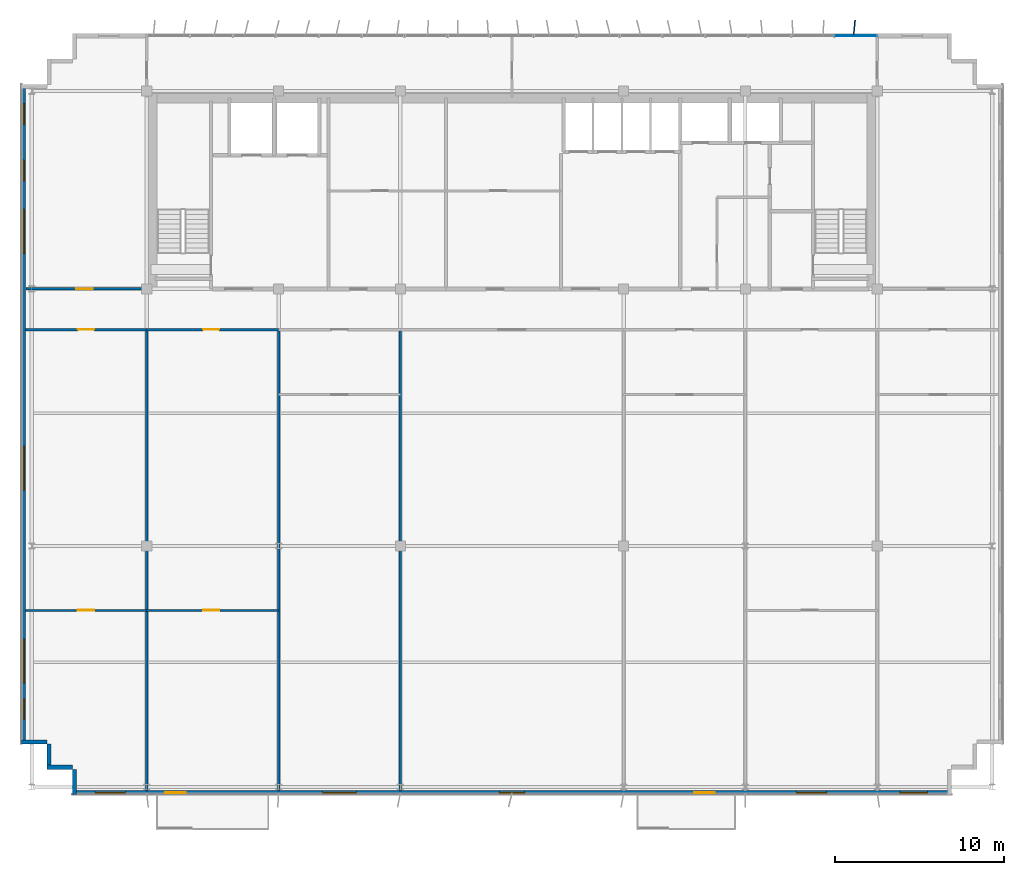
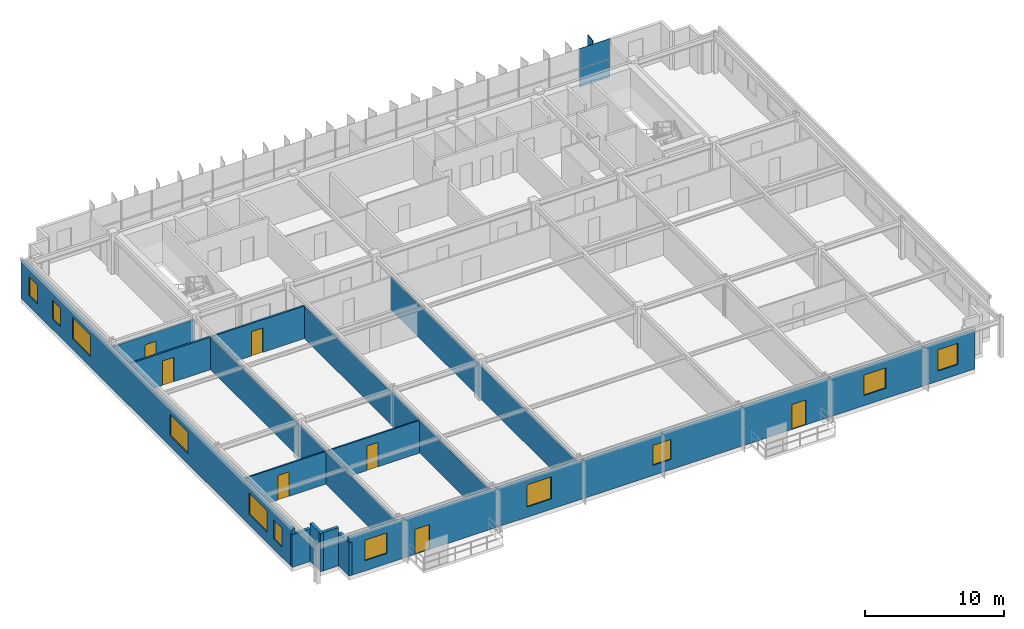
# One storey, part 16 of 21: 14 walls, 11 windows, 7 doors, 3 plates, 18 openings, 1 element without a shape of its own.
"""IFC4 building model written with IfcOpenShell, lengths in metres."""

from ifc_helpers import new_model, si_unit, direction, frame, frame_2d, origin, origin_2d, place, context, subcontext, project, spatial, rectangle, extrude, source, transform, mapped, material, layer, layer_set, type_object, element, fill, aggregate, save


model = new_model("IFC4")

# Units and contexts
model_context = context("Model", 3, precision=1e-05, world=origin(), true_north=direction((0.0, 1.0)))
body_context = subcontext(model_context, "Body", "Model", "MODEL_VIEW")
ifc_project = project(units=[si_unit("LENGTHUNIT", "METRE"), si_unit("AREAUNIT", "SQUARE_METRE"), si_unit("VOLUMEUNIT", "CUBIC_METRE"), si_unit("PLANEANGLEUNIT", "RADIAN"), si_unit("MASSUNIT", "GRAM", prefix="KILO")], contexts=[model_context])

# Site, building, storey
site_placement = place(None, origin())
site = spatial("IfcSite", under=ifc_project, at=site_placement, CompositionType="ELEMENT")
building_placement = place(site_placement, origin())
building = spatial("IfcBuilding", under=site, at=building_placement, Name="Trelvane Seafront Commons", CompositionType="ELEMENT")
storey_placement = place(building_placement, frame((0.0, 0.0, 248.699951171875)))
storey = spatial("IfcBuildingStorey", under=building, at=storey_placement, Name="L64", CompositionType="ELEMENT", Elevation=248.699951171875)

# Plate
ifc_material_1 = material(Name="Anodised pale-silver aluminium", Category="aluminium")
ifc_layer_1 = layer(ifc_material_1, 0.06005859375, Name="ARCH-PLATE-FIN900")
ifc_layer_set_1 = layer_set([ifc_layer_1], Name="Anodised pale-silver aluminium")
plate_type_1 = type_object("IfcPlateType", Name="ARCH-PLATE-FIN900", PredefinedType="USERDEFINED", material=ifc_layer_set_1)
shared_shape_1 = source(origin(), body_context, "Body", "SweptSolid", [
    extrude(rectangle(XDim=0.89990234375, YDim=0.06005859375, at=origin_2d()), origin(), (0.0, 0.0, 1.0), 3.639892578125),
])
plate_1_placement = place(storey_placement, frame((57.444091796875, 48.847900390625, -0.02001953125), z_axis=(0.0, 0.0, 1.0), x_axis=(0.097996297208, 0.99518677932, 0.0)))
element("IfcPlate", 1, at=plate_1_placement, inside=storey, type_object=plate_type_1, Name="FIN-L64-01779", ObjectType="FIN", PredefinedType="USERDEFINED", context=body_context, shape_type="MappedRepresentation", body=[
    mapped(shared_shape_1, transform((0.0, 0.0, 0.0), x_axis=(1.0, 0.0, 0.0), y_axis=(0.0, 1.0, 0.0), z_axis=(0.0, 0.0, 1.0), scale=1.0)),
])

# Curtain wall, plates
curtain_wall_type = type_object("IfcCurtainWallType", Name="ARCH-CW5-UPTOWER", PredefinedType="NOTDEFINED", material=ifc_material_1)
curtain_wall_placement = place(storey_placement, origin())
curtain_wall = element("IfcCurtainWall", 2, at=curtain_wall_placement, inside=storey, type_object=curtain_wall_type, Name="CW-L64-0108", PredefinedType="NOTDEFINED")
ifc_material_2 = material(Name="Low-E coastal double glazing", Category="glass")
ifc_layer_2 = layer(ifc_material_2, 0.033935546875, Name="ARCH-CW-GLAZ-34")
ifc_layer_set_2 = layer_set([ifc_layer_2], Name="Low-E coastal double glazing")
plate_type_2 = type_object("IfcPlateType", Name="ARCH-CW-GLAZ-34", PredefinedType="CURTAIN_PANEL", material=ifc_layer_set_2)
shared_shape_2 = source(origin(), body_context, "Body", "SweptSolid", [
    extrude(rectangle(XDim=2.51708984375, YDim=0.033935546875, at=origin_2d()), origin(), (0.0, 0.0, 1.0), 1.60009765625),
])
plate_2_placement = place(storey_placement, frame((57.529296875, 48.3701171875, 0.0), z_axis=(0.0, 0.0, 1.0), x_axis=(1.0, 0.0, 0.0)))
plate_2 = element("IfcPlate", 3, at=plate_2_placement, type_object=plate_type_2, Name="CW-L64-0108-P16-1", PredefinedType="CURTAIN_PANEL", context=body_context, shape_type="MappedRepresentation", body=[
    mapped(shared_shape_2, transform((0.0, 0.0, 0.0), x_axis=(1.0, 0.0, 0.0), y_axis=(0.0, 1.0, 0.0), z_axis=(0.0, 0.0, 1.0), scale=1.0)),
])
shared_shape_3 = source(origin(), body_context, "Body", "SweptSolid", [
    extrude(rectangle(XDim=2.51708984375, YDim=0.033935546875, at=origin_2d()), origin(), (0.0, 0.0, 1.0), 1.73388671875),
])
plate_3_placement = place(storey_placement, frame((57.529296875, 48.3701171875, 1.635986328125), z_axis=(0.0, 0.0, 1.0), x_axis=(1.0, 0.0, 0.0)))
plate_3 = element("IfcPlate", 4, at=plate_3_placement, type_object=plate_type_2, Name="CW-L64-0108-P16-2", PredefinedType="CURTAIN_PANEL", context=body_context, shape_type="MappedRepresentation", body=[
    mapped(shared_shape_3, transform((0.0, 0.0, 0.0), x_axis=(1.0, 0.0, 0.0), y_axis=(0.0, 1.0, 0.0), z_axis=(0.0, 0.0, 1.0), scale=1.0)),
])
aggregate(curtain_wall, [plate_2, plate_3])

# Walls
ifc_material_3 = material(Name="Precast concrete C40/50", Category="concrete")
ifc_layer_3 = layer(ifc_material_3, 0.239990234375, Name="ARCH-WALL-EXT240")
ifc_layer_set_3 = layer_set([ifc_layer_3], Name="Precast concrete C40/50")
wall_type_1 = type_object("IfcWallType", Name="ARCH-WALL-EXT240", PredefinedType="SOLIDWALL", material=ifc_layer_set_3)
for number, where, z_axis, x_axis, name in (
    (5, (11.199951171875, 5.1201171875, 0.0), (0.0, 0.0, 1.0), (-1.0, 0.0, 0.0), "EW-L64-01279"),
    (6, (9.820068359375, 5.0, 0.0), (0.0, 0.0, 1.0), (0.0, 1.0, 0.0), "EW-L64-01280"),
):
    element("IfcWall", number, at=place(storey_placement, frame(where, z_axis=z_axis, x_axis=x_axis)), inside=storey, type_object=wall_type_1, Name=name, PredefinedType="SOLIDWALL", context=body_context, shape_type="SweptSolid", body=[
        extrude(rectangle(XDim=1.5, YDim=0.239990234375, at=frame_2d((0.75, 0.0))), origin(), (0.0, 0.0, 1.0), 3.3701171875),
    ])
wall_1_placement = place(storey_placement, frame((9.699951171875, 6.6201171875, 0.0), z_axis=(0.0, 0.0, 1.0), x_axis=(-1.0, 0.0, 0.0)))
element("IfcWall", 7, at=wall_1_placement, inside=storey, type_object=wall_type_1, Name="EW-L64-01281", PredefinedType="SOLIDWALL", context=body_context, shape_type="SweptSolid", body=[
    extrude(rectangle(XDim=1.5, YDim=0.239990234375, at=frame_2d((0.75, 0.0))), origin(), (0.0, 0.0, 1.0), 2.8701171875),
])

# Wall, openings, windows
wall_2_placement = place(storey_placement, frame((8.320068359375, 6.5, 0.0), z_axis=(0.0, 0.0, 1.0), x_axis=(0.0, 1.0, 0.0)))
wall_2 = element("IfcWall", 8, at=wall_2_placement, inside=storey, type_object=wall_type_1, Name="EW-L64-01282", PredefinedType="SOLIDWALL", context=body_context, shape_type="SweptSolid", body=[
    extrude(rectangle(XDim=39.0, YDim=0.239990234375, at=frame_2d((19.5, 0.0))), origin(), (0.0, 0.0, 1.0), 3.3701171875),
])
opening_1_placement = place(wall_2_placement, frame((1.449951171875, 0.0, 0.919921875)))
opening_1 = element("IfcOpeningElement", 9, at=opening_1_placement, cuts=wall_2, Name="Opening W05", PredefinedType="OPENING", context=body_context, shape_type="SweptSolid", body=[
    extrude(rectangle(XDim=1.199951171875, YDim=1.64990234375, at=frame_2d((0.60009765625, 0.824951171875))), frame((0.0, 0.1298828125, 0.0), z_axis=(0.0, -1.0, 0.0), x_axis=(1.0, 0.0, 0.0)), (0.0, 0.0, 1.0), 0.260009765625),
])
opening_2_placement = place(wall_2_placement, frame((3.60009765625, 0.0, 0.919921875)))
opening_2 = element("IfcOpeningElement", 10, at=opening_2_placement, cuts=wall_2, Name="Opening W04", PredefinedType="OPENING", context=body_context, shape_type="SweptSolid", body=[
    extrude(rectangle(XDim=2.60009765625, YDim=1.89990234375, at=frame_2d((1.300048828125, 0.949951171875))), frame((0.0, 0.1298828125, 0.0), z_axis=(0.0, -1.0, 0.0), x_axis=(1.0, 0.0, 0.0)), (0.0, 0.0, 1.0), 0.260009765625),
])
opening_3_placement = place(wall_2_placement, frame((15.0, 0.0, 0.919921875)))
opening_3 = element("IfcOpeningElement", 11, at=opening_3_placement, cuts=wall_2, Name="Opening W04", PredefinedType="OPENING", context=body_context, shape_type="SweptSolid", body=[
    extrude(rectangle(XDim=2.60009765625, YDim=1.89990234375, at=frame_2d((1.300048828125, 0.949951171875))), frame((0.0, 0.1298828125, 0.0), z_axis=(0.0, -1.0, 0.0), x_axis=(1.0, 0.0, 0.0)), (0.0, 0.0, 1.0), 0.260009765625),
])
opening_4_placement = place(wall_2_placement, frame((29.0, 0.0, 0.919921875)))
opening_4 = element("IfcOpeningElement", 12, at=opening_4_placement, cuts=wall_2, Name="Opening W04", PredefinedType="OPENING", context=body_context, shape_type="SweptSolid", body=[
    extrude(rectangle(XDim=2.60009765625, YDim=1.89990234375, at=frame_2d((1.300048828125, 0.949951171875))), frame((0.0, 0.1298828125, 0.0), z_axis=(0.0, -1.0, 0.0), x_axis=(1.0, 0.0, 0.0)), (0.0, 0.0, 1.0), 0.260009765625),
])
opening_5_placement = place(wall_2_placement, frame((33.300048828125, 0.0, 0.919921875)))
opening_5 = element("IfcOpeningElement", 13, at=opening_5_placement, cuts=wall_2, Name="Opening W05", PredefinedType="OPENING", context=body_context, shape_type="SweptSolid", body=[
    extrude(rectangle(XDim=1.199951171875, YDim=1.64990234375, at=frame_2d((0.60009765625, 0.824951171875))), frame((0.0, 0.1298828125, 0.0), z_axis=(0.0, -1.0, 0.0), x_axis=(1.0, 0.0, 0.0)), (0.0, 0.0, 1.0), 0.260009765625),
])
opening_6_placement = place(wall_2_placement, frame((36.64990234375, 0.0, 0.919921875)))
opening_6 = element("IfcOpeningElement", 14, at=opening_6_placement, cuts=wall_2, Name="Opening W05", PredefinedType="OPENING", context=body_context, shape_type="SweptSolid", body=[
    extrude(rectangle(XDim=1.199951171875, YDim=1.64990234375, at=frame_2d((0.60009765625, 0.824951171875))), frame((0.0, 0.1298828125, 0.0), z_axis=(0.0, -1.0, 0.0), x_axis=(1.0, 0.0, 0.0)), (0.0, 0.0, 1.0), 0.260009765625),
])
window_type_1 = type_object("IfcWindowType", Name="ARCH-WIN-W04", PartitioningType="SINGLE_PANEL", PredefinedType="WINDOW", material=ifc_material_2)
shared_shape_4 = source(origin(), body_context, "Body", "SweptSolid", [
    extrude(rectangle(XDim=2.60009765625, YDim=1.89990234375, at=frame_2d((1.300048828125, 0.949951171875))), frame((0.0, 0.030029296875, 0.0), z_axis=(0.0, -1.0, 0.0), x_axis=(1.0, 0.0, 0.0)), (0.0, 0.0, 1.0), 0.06005859375),
])
window_1_placement = place(opening_2_placement, origin())
window_1 = element("IfcWindow", 15, at=window_1_placement, inside=storey, type_object=window_type_1, Name="WIN-L64-EW-01537", OverallHeight=1.89990234375, OverallWidth=2.60009765625, PartitioningType="SINGLE_PANEL", PredefinedType="WINDOW", context=body_context, shape_type="MappedRepresentation", body=[
    mapped(shared_shape_4, transform((0.0, 0.0, 0.0), x_axis=(1.0, 0.0, 0.0), y_axis=(0.0, 1.0, 0.0), z_axis=(0.0, 0.0, 1.0), scale=1.0)),
])
fill(opening_2, window_1)
window_2_placement = place(opening_3_placement, origin())
window_2 = element("IfcWindow", 16, at=window_2_placement, inside=storey, type_object=window_type_1, Name="WIN-L64-EW-01538", OverallHeight=1.89990234375, OverallWidth=2.60009765625, PartitioningType="SINGLE_PANEL", PredefinedType="WINDOW", context=body_context, shape_type="MappedRepresentation", body=[
    mapped(shared_shape_4, transform((0.0, 0.0, 0.0), x_axis=(1.0, 0.0, 0.0), y_axis=(0.0, 1.0, 0.0), z_axis=(0.0, 0.0, 1.0), scale=1.0)),
])
fill(opening_3, window_2)
window_3_placement = place(opening_4_placement, origin())
window_3 = element("IfcWindow", 17, at=window_3_placement, inside=storey, type_object=window_type_1, Name="WIN-L64-EW-01539", OverallHeight=1.89990234375, OverallWidth=2.60009765625, PartitioningType="SINGLE_PANEL", PredefinedType="WINDOW", context=body_context, shape_type="MappedRepresentation", body=[
    mapped(shared_shape_4, transform((0.0, 0.0, 0.0), x_axis=(1.0, 0.0, 0.0), y_axis=(0.0, 1.0, 0.0), z_axis=(0.0, 0.0, 1.0), scale=1.0)),
])
fill(opening_4, window_3)
window_type_2 = type_object("IfcWindowType", Name="ARCH-WIN-W05", PartitioningType="SINGLE_PANEL", PredefinedType="WINDOW", material=ifc_material_2)
shared_shape_5 = source(origin(), body_context, "Body", "SweptSolid", [
    extrude(rectangle(XDim=1.199951171875, YDim=1.64990234375, at=frame_2d((0.60009765625, 0.824951171875))), frame((0.0, 0.030029296875, 0.0), z_axis=(0.0, -1.0, 0.0), x_axis=(1.0, 0.0, 0.0)), (0.0, 0.0, 1.0), 0.06005859375),
])
window_4_placement = place(opening_1_placement, origin())
window_4 = element("IfcWindow", 18, at=window_4_placement, inside=storey, type_object=window_type_2, Name="WIN-L64-EW-01536", OverallHeight=1.64990234375, OverallWidth=1.199951171875, PartitioningType="SINGLE_PANEL", PredefinedType="WINDOW", context=body_context, shape_type="MappedRepresentation", body=[
    mapped(shared_shape_5, transform((0.0, 0.0, 0.0), x_axis=(1.0, 0.0, 0.0), y_axis=(0.0, 1.0, 0.0), z_axis=(0.0, 0.0, 1.0), scale=1.0)),
])
fill(opening_1, window_4)
window_5_placement = place(opening_5_placement, origin())
window_5 = element("IfcWindow", 19, at=window_5_placement, inside=storey, type_object=window_type_2, Name="WIN-L64-EW-01540", OverallHeight=1.64990234375, OverallWidth=1.199951171875, PartitioningType="SINGLE_PANEL", PredefinedType="WINDOW", context=body_context, shape_type="MappedRepresentation", body=[
    mapped(shared_shape_5, transform((0.0, 0.0, 0.0), x_axis=(1.0, 0.0, 0.0), y_axis=(0.0, 1.0, 0.0), z_axis=(0.0, 0.0, 1.0), scale=1.0)),
])
fill(opening_5, window_5)
window_6_placement = place(opening_6_placement, origin())
window_6 = element("IfcWindow", 20, at=window_6_placement, inside=storey, type_object=window_type_2, Name="WIN-L64-EW-01541", OverallHeight=1.64990234375, OverallWidth=1.199951171875, PartitioningType="SINGLE_PANEL", PredefinedType="WINDOW", context=body_context, shape_type="MappedRepresentation", body=[
    mapped(shared_shape_5, transform((0.0, 0.0, 0.0), x_axis=(1.0, 0.0, 0.0), y_axis=(0.0, 1.0, 0.0), z_axis=(0.0, 0.0, 1.0), scale=1.0)),
])
fill(opening_6, window_6)

# Wall, openings, doors, windows
wall_3_placement = place(storey_placement, frame((63.199951171875, 3.6201171875, 0.0), z_axis=(0.0, 0.0, 1.0), x_axis=(-1.0, 0.0, 0.0)))
wall_3 = element("IfcWall", 21, at=wall_3_placement, inside=storey, type_object=wall_type_1, Name="EW-L64-01296", PredefinedType="SOLIDWALL", context=body_context, shape_type="SweptSolid", body=[
    extrude(rectangle(XDim=52.0, YDim=0.239990234375, at=frame_2d((26.0, 0.0))), origin(), (0.0, 0.0, 1.0), 3.3701171875),
])
opening_7_placement = place(wall_3_placement, frame((1.419921875, 0.0, 0.89990234375)))
opening_7 = element("IfcOpeningElement", 22, at=opening_7_placement, cuts=wall_3, Name="Opening W07", PredefinedType="OPENING", context=body_context, shape_type="SweptSolid", body=[
    extrude(rectangle(XDim=1.64990234375, YDim=1.85009765625, at=frame_2d((0.824951171875, 0.925048828125))), frame((0.0, 0.1298828125, 0.0), z_axis=(0.0, -1.0, 0.0), x_axis=(1.0, 0.0, 0.0)), (0.0, 0.0, 1.0), 0.260009765625),
])
opening_8_placement = place(wall_3_placement, frame((7.39990234375, 0.0, 0.89990234375)))
opening_8 = element("IfcOpeningElement", 23, at=opening_8_placement, cuts=wall_3, Name="Opening W01", PredefinedType="OPENING", context=body_context, shape_type="SweptSolid", body=[
    extrude(rectangle(XDim=1.800048828125, YDim=1.800048828125, at=frame_2d((0.89990234375, 0.89990234375))), frame((0.0, 0.1298828125, 0.0), z_axis=(0.0, -1.0, 0.0), x_axis=(1.0, 0.0, 0.0)), (0.0, 0.0, 1.0), 0.260009765625),
])
opening_9_placement = place(wall_3_placement, frame((14.01708984375, 0.0, 0.0)))
opening_9 = element("IfcOpeningElement", 24, at=opening_9_placement, cuts=wall_3, Name="Opening BD-L64-130", PredefinedType="OPENING", context=body_context, shape_type="SweptSolid", body=[
    extrude(rectangle(XDim=1.199951171875, YDim=2.199951171875, at=frame_2d((0.60009765625, 1.10009765625))), frame((0.0, 0.1298828125, 0.0), z_axis=(0.0, -1.0, 0.0), x_axis=(1.0, 0.0, 0.0)), (0.0, 0.0, 1.0), 0.260009765625),
])
opening_10_placement = place(wall_3_placement, frame((25.25, 0.0, 0.89990234375)))
opening_10 = element("IfcOpeningElement", 25, at=opening_10_placement, cuts=wall_3, Name="Opening W03", PredefinedType="OPENING", context=body_context, shape_type="SweptSolid", body=[
    extrude(rectangle(XDim=1.5, YDim=1.75, at=frame_2d((0.75, 0.875))), frame((0.0, 0.1298828125, 0.0), z_axis=(0.0, -1.0, 0.0), x_axis=(1.0, 0.0, 0.0)), (0.0, 0.0, 1.0), 0.260009765625),
])
opening_11_placement = place(wall_3_placement, frame((35.199951171875, 0.0, 0.89990234375)))
opening_11 = element("IfcOpeningElement", 26, at=opening_11_placement, cuts=wall_3, Name="Opening W06", PredefinedType="OPENING", context=body_context, shape_type="SweptSolid", body=[
    extrude(rectangle(XDim=2.0, YDim=1.949951171875, at=frame_2d((1.0, 0.97509765625))), frame((0.0, 0.1298828125, 0.0), z_axis=(0.0, -1.0, 0.0), x_axis=(1.0, 0.0, 0.0)), (0.0, 0.0, 1.0), 0.260009765625),
])
opening_12_placement = place(wall_3_placement, frame((45.302001953125, 0.0, 0.0)))
opening_12 = element("IfcOpeningElement", 27, at=opening_12_placement, cuts=wall_3, Name="Opening BD-L64-131", PredefinedType="OPENING", context=body_context, shape_type="SweptSolid", body=[
    extrude(rectangle(XDim=1.199951171875, YDim=2.199951171875, at=frame_2d((0.60009765625, 1.10009765625))), frame((0.0, 0.1298828125, 0.0), z_axis=(0.0, -1.0, 0.0), x_axis=(1.0, 0.0, 0.0)), (0.0, 0.0, 1.0), 0.260009765625),
])
opening_13_placement = place(wall_3_placement, frame((48.85498046875, 0.0, 0.89990234375)))
opening_13 = element("IfcOpeningElement", 28, at=opening_13_placement, cuts=wall_3, Name="Opening W01", PredefinedType="OPENING", context=body_context, shape_type="SweptSolid", body=[
    extrude(rectangle(XDim=1.800048828125, YDim=1.800048828125, at=frame_2d((0.89990234375, 0.89990234375))), frame((0.0, 0.1298828125, 0.0), z_axis=(0.0, -1.0, 0.0), x_axis=(1.0, 0.0, 0.0)), (0.0, 0.0, 1.0), 0.260009765625),
])
ifc_material_4 = material(Name="Powder-coated aluminium frame", Category="aluminium")
door_type_1 = type_object("IfcDoorType", Name="ARCH-DR-BAL1200", OperationType="NOTDEFINED", PredefinedType="DOOR", material=ifc_material_4)
shared_shape_6 = source(origin(), body_context, "Body", "SweptSolid", [
    extrude(rectangle(XDim=1.199951171875, YDim=2.199951171875, at=frame_2d((0.60009765625, 1.10009765625))), frame((0.0, 0.02490234375, 0.0), z_axis=(0.0, -1.0, 0.0), x_axis=(1.0, 0.0, 0.0)), (0.0, 0.0, 1.0), 0.050048828125),
])
door_1_placement = place(opening_9_placement, origin())
door_1 = element("IfcDoor", 29, at=door_1_placement, inside=storey, type_object=door_type_1, Name="L64 Balcony Terrace Access Door", OperationType="SINGLE_SWING_LEFT", OverallHeight=2.199951171875, OverallWidth=1.199951171875, PredefinedType="DOOR", context=body_context, shape_type="MappedRepresentation", body=[
    mapped(shared_shape_6, transform((0.0, 0.0, 0.0), x_axis=(1.0, 0.0, 0.0), y_axis=(0.0, 1.0, 0.0), z_axis=(0.0, 0.0, 1.0), scale=1.0)),
])
fill(opening_9, door_1)
door_2_placement = place(opening_12_placement, origin())
door_2 = element("IfcDoor", 30, at=door_2_placement, inside=storey, type_object=door_type_1, Name="L64 Balcony Terrace Access Door", OperationType="SINGLE_SWING_LEFT", OverallHeight=2.199951171875, OverallWidth=1.199951171875, PredefinedType="DOOR", context=body_context, shape_type="MappedRepresentation", body=[
    mapped(shared_shape_6, transform((0.0, 0.0, 0.0), x_axis=(1.0, 0.0, 0.0), y_axis=(0.0, 1.0, 0.0), z_axis=(0.0, 0.0, 1.0), scale=1.0)),
])
fill(opening_12, door_2)
window_type_3 = type_object("IfcWindowType", Name="ARCH-WIN-W03", PartitioningType="SINGLE_PANEL", PredefinedType="WINDOW", material=ifc_material_2)
shared_shape_7 = source(origin(), body_context, "Body", "SweptSolid", [
    extrude(rectangle(XDim=1.5, YDim=1.75, at=frame_2d((0.75, 0.875))), frame((0.0, 0.030029296875, 0.0), z_axis=(0.0, -1.0, 0.0), x_axis=(1.0, 0.0, 0.0)), (0.0, 0.0, 1.0), 0.06005859375),
])
window_7_placement = place(opening_10_placement, origin())
window_7 = element("IfcWindow", 31, at=window_7_placement, inside=storey, type_object=window_type_3, Name="WIN-L64-01551", OverallHeight=1.75, OverallWidth=1.5, PartitioningType="SINGLE_PANEL", PredefinedType="WINDOW", context=body_context, shape_type="MappedRepresentation", body=[
    mapped(shared_shape_7, transform((0.0, 0.0, 0.0), x_axis=(1.0, 0.0, 0.0), y_axis=(0.0, 1.0, 0.0), z_axis=(0.0, 0.0, 1.0), scale=1.0)),
])
fill(opening_10, window_7)
window_type_4 = type_object("IfcWindowType", Name="ARCH-WIN-W06", PartitioningType="SINGLE_PANEL", PredefinedType="WINDOW", material=ifc_material_2)
shared_shape_8 = source(origin(), body_context, "Body", "SweptSolid", [
    extrude(rectangle(XDim=2.0, YDim=1.949951171875, at=frame_2d((1.0, 0.97509765625))), frame((0.0, 0.030029296875, 0.0), z_axis=(0.0, -1.0, 0.0), x_axis=(1.0, 0.0, 0.0)), (0.0, 0.0, 1.0), 0.06005859375),
])
window_8_placement = place(opening_11_placement, origin())
window_8 = element("IfcWindow", 32, at=window_8_placement, inside=storey, type_object=window_type_4, Name="WIN-L64-01552", OverallHeight=1.949951171875, OverallWidth=2.0, PartitioningType="SINGLE_PANEL", PredefinedType="WINDOW", context=body_context, shape_type="MappedRepresentation", body=[
    mapped(shared_shape_8, transform((0.0, 0.0, 0.0), x_axis=(1.0, 0.0, 0.0), y_axis=(0.0, 1.0, 0.0), z_axis=(0.0, 0.0, 1.0), scale=1.0)),
])
fill(opening_11, window_8)
window_type_5 = type_object("IfcWindowType", Name="ARCH-WIN-W01", PartitioningType="SINGLE_PANEL", PredefinedType="WINDOW", material=ifc_material_2)
shared_shape_9 = source(origin(), body_context, "Body", "SweptSolid", [
    extrude(rectangle(XDim=1.800048828125, YDim=1.800048828125, at=frame_2d((0.89990234375, 0.89990234375))), frame((0.0, 0.030029296875, 0.0), z_axis=(0.0, -1.0, 0.0), x_axis=(1.0, 0.0, 0.0)), (0.0, 0.0, 1.0), 0.06005859375),
])
window_9_placement = place(opening_8_placement, origin())
window_9 = element("IfcWindow", 33, at=window_9_placement, inside=storey, type_object=window_type_5, Name="WIN-L64-01550", OverallHeight=1.800048828125, OverallWidth=1.800048828125, PartitioningType="SINGLE_PANEL", PredefinedType="WINDOW", context=body_context, shape_type="MappedRepresentation", body=[
    mapped(shared_shape_9, transform((0.0, 0.0, 0.0), x_axis=(1.0, 0.0, 0.0), y_axis=(0.0, 1.0, 0.0), z_axis=(0.0, 0.0, 1.0), scale=1.0)),
])
fill(opening_8, window_9)
window_10_placement = place(opening_13_placement, origin())
window_10 = element("IfcWindow", 34, at=window_10_placement, inside=storey, type_object=window_type_5, Name="WIN-L64-01553", OverallHeight=1.800048828125, OverallWidth=1.800048828125, PartitioningType="SINGLE_PANEL", PredefinedType="WINDOW", context=body_context, shape_type="MappedRepresentation", body=[
    mapped(shared_shape_9, transform((0.0, 0.0, 0.0), x_axis=(1.0, 0.0, 0.0), y_axis=(0.0, 1.0, 0.0), z_axis=(0.0, 0.0, 1.0), scale=1.0)),
])
fill(opening_13, window_10)
window_type_6 = type_object("IfcWindowType", Name="ARCH-WIN-W07", PartitioningType="SINGLE_PANEL", PredefinedType="WINDOW", material=ifc_material_2)
shared_shape_10 = source(origin(), body_context, "Body", "SweptSolid", [
    extrude(rectangle(XDim=1.64990234375, YDim=1.85009765625, at=frame_2d((0.824951171875, 0.925048828125))), frame((0.0, 0.030029296875, 0.0), z_axis=(0.0, -1.0, 0.0), x_axis=(1.0, 0.0, 0.0)), (0.0, 0.0, 1.0), 0.06005859375),
])
window_11_placement = place(opening_7_placement, origin())
window_11 = element("IfcWindow", 35, at=window_11_placement, inside=storey, type_object=window_type_6, Name="WIN-L64-01549", OverallHeight=1.85009765625, OverallWidth=1.64990234375, PartitioningType="SINGLE_PANEL", PredefinedType="WINDOW", context=body_context, shape_type="MappedRepresentation", body=[
    mapped(shared_shape_10, transform((0.0, 0.0, 0.0), x_axis=(1.0, 0.0, 0.0), y_axis=(0.0, 1.0, 0.0), z_axis=(0.0, 0.0, 1.0), scale=1.0)),
])
fill(opening_7, window_11)

# Wall
wall_4_placement = place(storey_placement, frame((11.320068359375, 3.5, 0.0), z_axis=(0.0, 0.0, 1.0), x_axis=(0.0, 1.0, 0.0)))
element("IfcWall", 36, at=wall_4_placement, inside=storey, type_object=wall_type_1, Name="EW-L64-01297", PredefinedType="SOLIDWALL", context=body_context, shape_type="SweptSolid", body=[
    extrude(rectangle(XDim=1.5, YDim=0.239990234375, at=frame_2d((0.75, 0.0))), origin(), (0.0, 0.0, 1.0), 2.920166015625),
])

# Wall, opening, door
ifc_material_5 = material(Name="Gypsum Drywall Acoustic Partition")
ifc_layer_4 = layer(ifc_material_5, 0.1201171875, Name="ARCH-WALL-PART120")
ifc_layer_set_4 = layer_set([ifc_layer_4], Name="Gypsum Drywall Acoustic Partition")
wall_type_2 = type_object("IfcWallType", Name="ARCH-WALL-PART120", PredefinedType="PARTITIONING", material=ifc_layer_set_4)
wall_5_placement = place(storey_placement, frame((8.425048828125, 14.39990234375, 0.0), z_axis=(0.0, 0.0, 1.0), x_axis=(1.0, 0.0, 0.0)))
wall_5 = element("IfcWall", 37, at=wall_5_placement, inside=storey, type_object=wall_type_2, Name="W-L64-U1-DIV-047", PredefinedType="PARTITIONING", context=body_context, shape_type="SweptSolid", body=[
    extrude(rectangle(XDim=7.175048828125, YDim=0.1201171875, at=frame_2d((3.58740234375, 0.0))), origin(), (0.0, 0.0, 1.0), 2.8701171875),
])
opening_14_placement = place(wall_5_placement, frame((3.112060546875, 0.0, 0.0)))
opening_14 = element("IfcOpeningElement", 38, at=opening_14_placement, cuts=wall_5, Name="Opening D-L64-27", PredefinedType="OPENING", context=body_context, shape_type="SweptSolid", body=[
    extrude(rectangle(XDim=0.949951171875, YDim=2.14990234375, at=frame_2d((0.47509765625, 1.074951171875))), frame((0.0, 0.070068359375, 0.0), z_axis=(0.0, -1.0, 0.0), x_axis=(1.0, 0.0, 0.0)), (0.0, 0.0, 1.0), 0.14013671875),
])
ifc_material_6 = material(Name="Acoustic timber door leaf", Category="wood")
door_type_2 = type_object("IfcDoorType", Name="ARCH-DR-INT950", OperationType="NOTDEFINED", PredefinedType="DOOR", material=ifc_material_6)
shared_shape_11 = source(origin(), body_context, "Body", "SweptSolid", [
    extrude(rectangle(XDim=0.949951171875, YDim=2.14990234375, at=frame_2d((0.47509765625, 1.074951171875))), frame((0.0, 0.02490234375, 0.0), z_axis=(0.0, -1.0, 0.0), x_axis=(1.0, 0.0, 0.0)), (0.0, 0.0, 1.0), 0.050048828125),
])
door_3_placement = place(opening_14_placement, origin())
door_3 = element("IfcDoor", 39, at=door_3_placement, inside=storey, type_object=door_type_2, Name="L64 Door 27", OperationType="SINGLE_SWING_LEFT", OverallHeight=2.14990234375, OverallWidth=0.949951171875, PredefinedType="DOOR", context=body_context, shape_type="MappedRepresentation", body=[
    mapped(shared_shape_11, transform((0.0, 0.0, 0.0), x_axis=(1.0, 0.0, 0.0), y_axis=(0.0, 1.0, 0.0), z_axis=(0.0, 0.0, 1.0), scale=1.0)),
])
fill(opening_14, door_3)

wall_6_placement = place(storey_placement, frame((15.60009765625, 14.39990234375, 0.0), z_axis=(0.0, 0.0, 1.0), x_axis=(1.0, 0.0, 0.0)))
wall_6 = element("IfcWall", 40, at=wall_6_placement, inside=storey, type_object=wall_type_2, Name="W-L64-U2-DIV-049", PredefinedType="PARTITIONING", context=body_context, shape_type="SweptSolid", body=[
    extrude(rectangle(XDim=7.7998046875, YDim=0.1201171875, at=frame_2d((3.89990234375, 0.0))), origin(), (0.0, 0.0, 1.0), 2.8701171875),
])
opening_15_placement = place(wall_6_placement, frame((3.3330078125, 0.0, 0.0)))
opening_15 = element("IfcOpeningElement", 41, at=opening_15_placement, cuts=wall_6, Name="Opening D-L64-29", PredefinedType="OPENING", context=body_context, shape_type="SweptSolid", body=[
    extrude(rectangle(XDim=0.949951171875, YDim=2.14990234375, at=frame_2d((0.47509765625, 1.074951171875))), frame((0.0, 0.070068359375, 0.0), z_axis=(0.0, -1.0, 0.0), x_axis=(1.0, 0.0, 0.0)), (0.0, 0.0, 1.0), 0.14013671875),
])
door_4_placement = place(opening_15_placement, origin())
door_4 = element("IfcDoor", 42, at=door_4_placement, inside=storey, type_object=door_type_2, Name="L64 Door 29", OperationType="SINGLE_SWING_LEFT", OverallHeight=2.14990234375, OverallWidth=0.949951171875, PredefinedType="DOOR", context=body_context, shape_type="MappedRepresentation", body=[
    mapped(shared_shape_11, transform((0.0, 0.0, 0.0), x_axis=(1.0, 0.0, 0.0), y_axis=(0.0, 1.0, 0.0), z_axis=(0.0, 0.0, 1.0), scale=1.0)),
])
fill(opening_15, door_4)

ifc_layer_5 = layer(ifc_material_5, 0.14990234375, Name="ARCH-WALL-PART150")
ifc_layer_set_5 = layer_set([ifc_layer_5], Name="Gypsum Drywall Acoustic Partition")
wall_type_3 = type_object("IfcWallType", Name="ARCH-WALL-PART150", PredefinedType="PARTITIONING", material=ifc_layer_set_5)
wall_7_placement = place(storey_placement, frame((8.449951171875, 33.39990234375, 0.0), z_axis=(0.0, 0.0, 1.0), x_axis=(1.0, 0.0, 0.0)))
wall_7 = element("IfcWall", 43, at=wall_7_placement, inside=storey, type_object=wall_type_3, Name="W-L64-NW-ENT-035", PredefinedType="PARTITIONING", context=body_context, shape_type="SweptSolid", body=[
    extrude(rectangle(XDim=7.150146484375, YDim=0.14990234375, at=frame_2d((3.5751953125, 0.0))), origin(), (0.0, 0.0, 1.0), 2.920166015625),
])
opening_16_placement = place(wall_7_placement, frame((3.0, 0.0, 0.0)))
opening_16 = element("IfcOpeningElement", 44, at=opening_16_placement, cuts=wall_7, Name="Opening FD-L64-21", PredefinedType="OPENING", context=body_context, shape_type="SweptSolid", body=[
    extrude(rectangle(XDim=0.949951171875, YDim=2.14990234375, at=frame_2d((0.47509765625, 1.074951171875))), frame((0.0, 0.0849609375, 0.0), z_axis=(0.0, -1.0, 0.0), x_axis=(1.0, 0.0, 0.0)), (0.0, 0.0, 1.0), 0.169921875),
])
door_type_3 = type_object("IfcDoorType", Name="ARCH-DR-FD60-950", OperationType="NOTDEFINED", PredefinedType="DOOR", material=ifc_material_4)
door_5_placement = place(opening_16_placement, origin())
door_5 = element("IfcDoor", 45, at=door_5_placement, inside=storey, type_object=door_type_3, Name="L64 NW Suite Entrance Door", OperationType="SINGLE_SWING_LEFT", OverallHeight=2.14990234375, OverallWidth=0.949951171875, PredefinedType="DOOR", context=body_context, shape_type="MappedRepresentation", body=[
    mapped(shared_shape_11, transform((0.0, 0.0, 0.0), x_axis=(1.0, 0.0, 0.0), y_axis=(0.0, 1.0, 0.0), z_axis=(0.0, 0.0, 1.0), scale=1.0)),
])
fill(opening_16, door_5)

# Walls
for number, where, z_axis, x_axis, name in (
    (46, (15.60009765625, 3.72509765625, 0.0), (0.0, 0.0, 1.0), (0.0, 1.0, 0.0), "W-L64-PW-1-040"),
    (47, (23.39990234375, 3.72509765625, 0.0), (0.0, 0.0, 1.0), (0.0, 1.0, 0.0), "W-L64-PW-2-041"),
    (48, (30.60009765625, 3.72509765625, 0.0), (0.0, 0.0, 1.0), (0.0, 1.0, 0.0), "W-L64-PW-3-042"),
):
    element("IfcWall", number, at=place(storey_placement, frame(where, z_axis=z_axis, x_axis=x_axis)), inside=storey, type_object=wall_type_3, Name=name, PredefinedType="PARTITIONING", context=body_context, shape_type="SweptSolid", body=[
        extrude(rectangle(XDim=27.27490234375, YDim=0.14990234375, at=frame_2d((13.637451171875, 0.0))), origin(), (0.0, 0.0, 1.0), 2.8701171875),
    ])

# Wall, opening, door
wall_8_placement = place(storey_placement, frame((8.425048828125, 31.0, 0.0), z_axis=(0.0, 0.0, 1.0), x_axis=(1.0, 0.0, 0.0)))
wall_8 = element("IfcWall", 49, at=wall_8_placement, inside=storey, type_object=wall_type_3, Name="W-L64-CS-BAY-1-046", PredefinedType="PARTITIONING", context=body_context, shape_type="SweptSolid", body=[
    extrude(rectangle(XDim=7.175048828125, YDim=0.14990234375, at=frame_2d((3.58740234375, 0.0))), origin(), (0.0, 0.0, 1.0), 2.8701171875),
])
opening_17_placement = place(wall_8_placement, frame((3.112060546875, 0.0, 0.0)))
opening_17 = element("IfcOpeningElement", 50, at=opening_17_placement, cuts=wall_8, Name="Opening FD-L64-26", PredefinedType="OPENING", context=body_context, shape_type="SweptSolid", body=[
    extrude(rectangle(XDim=0.949951171875, YDim=2.14990234375, at=frame_2d((0.47509765625, 1.074951171875))), frame((0.0, 0.0849609375, 0.0), z_axis=(0.0, -1.0, 0.0), x_axis=(1.0, 0.0, 0.0)), (0.0, 0.0, 1.0), 0.169921875),
])
door_6_placement = place(opening_17_placement, origin())
door_6 = element("IfcDoor", 51, at=door_6_placement, inside=storey, type_object=door_type_3, Name="L64 Bay 01 Entrance Door", OperationType="SINGLE_SWING_RIGHT", OverallHeight=2.14990234375, OverallWidth=0.949951171875, PredefinedType="DOOR", context=body_context, shape_type="MappedRepresentation", body=[
    mapped(shared_shape_11, transform((0.0, 0.0, 0.0), x_axis=(1.0, 0.0, 0.0), y_axis=(0.0, 1.0, 0.0), z_axis=(0.0, 0.0, 1.0), scale=1.0)),
])
fill(opening_17, door_6)

wall_9_placement = place(storey_placement, frame((15.60009765625, 31.0, 0.0), z_axis=(0.0, 0.0, 1.0), x_axis=(1.0, 0.0, 0.0)))
wall_9 = element("IfcWall", 52, at=wall_9_placement, inside=storey, type_object=wall_type_3, Name="W-L64-CS-BAY-2-048", PredefinedType="PARTITIONING", context=body_context, shape_type="SweptSolid", body=[
    extrude(rectangle(XDim=7.7998046875, YDim=0.14990234375, at=frame_2d((3.89990234375, 0.0))), origin(), (0.0, 0.0, 1.0), 2.8701171875),
])
opening_18_placement = place(wall_9_placement, frame((3.3330078125, 0.0, 0.0)))
opening_18 = element("IfcOpeningElement", 53, at=opening_18_placement, cuts=wall_9, Name="Opening FD-L64-28", PredefinedType="OPENING", context=body_context, shape_type="SweptSolid", body=[
    extrude(rectangle(XDim=0.949951171875, YDim=2.14990234375, at=frame_2d((0.47509765625, 1.074951171875))), frame((0.0, 0.0849609375, 0.0), z_axis=(0.0, -1.0, 0.0), x_axis=(1.0, 0.0, 0.0)), (0.0, 0.0, 1.0), 0.169921875),
])
door_7_placement = place(opening_18_placement, origin())
door_7 = element("IfcDoor", 54, at=door_7_placement, inside=storey, type_object=door_type_3, Name="L64 Bay 02 Entrance Door", OperationType="SINGLE_SWING_RIGHT", OverallHeight=2.14990234375, OverallWidth=0.949951171875, PredefinedType="DOOR", context=body_context, shape_type="MappedRepresentation", body=[
    mapped(shared_shape_11, transform((0.0, 0.0, 0.0), x_axis=(1.0, 0.0, 0.0), y_axis=(0.0, 1.0, 0.0), z_axis=(0.0, 0.0, 1.0), scale=1.0)),
])
fill(opening_18, door_7)

save(model, "model.ifc")
